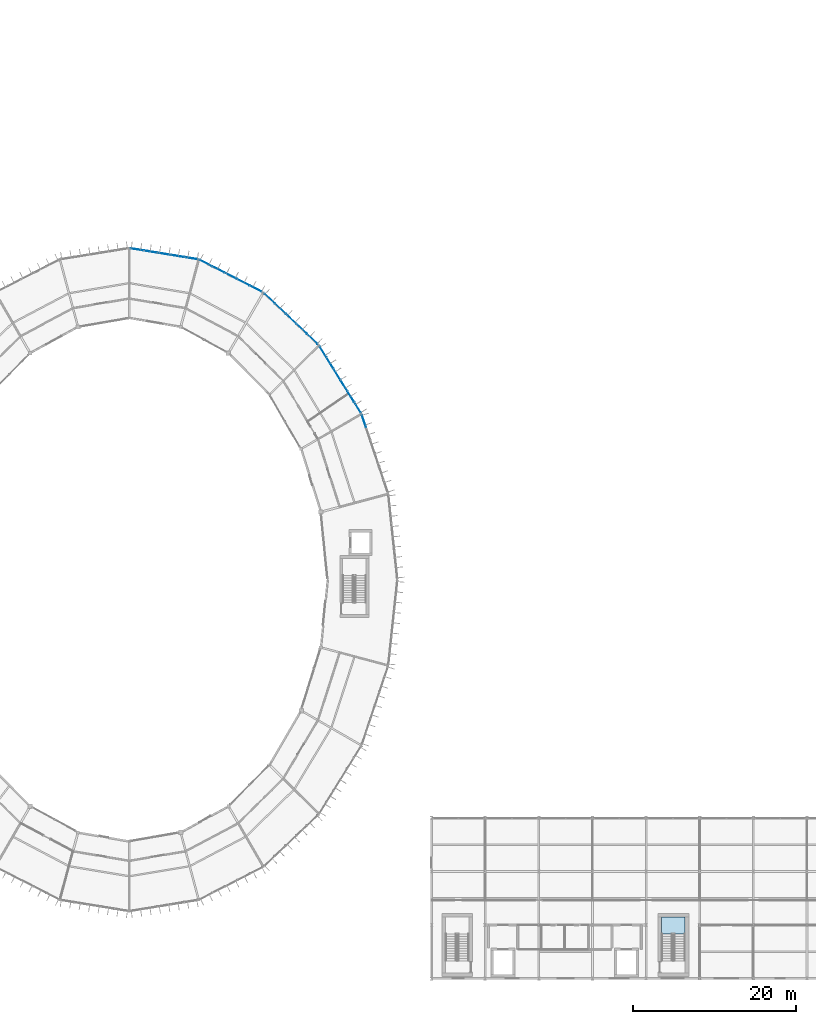
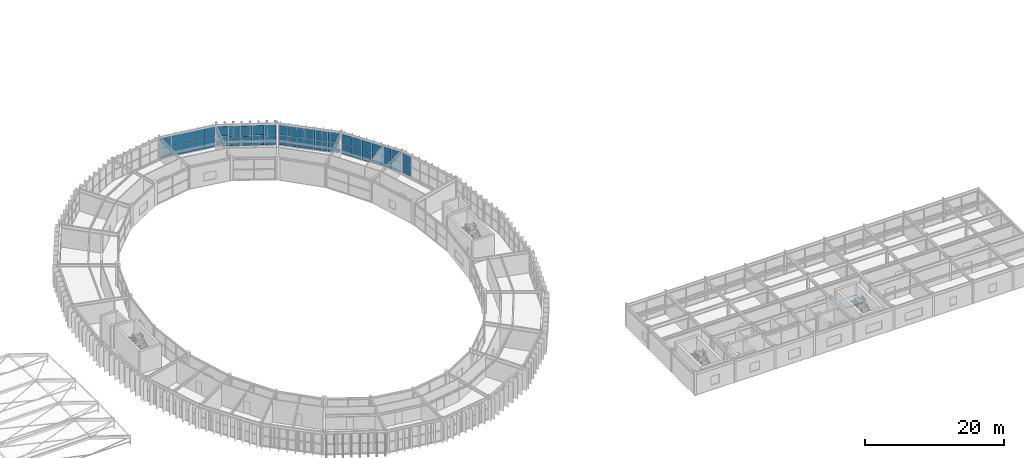
# One storey, part 99 of 134: 44 plates, 1 slab, 6 elements without a shape of their own.
"""IFC4 building model written with IfcOpenShell, lengths in metres."""

import ifcopenshell
import ifcopenshell.guid

model = None  # the IFC model being written
_history = None  # IfcOwnerHistory: only IFC2X3 demands one
_inside = {}  # id of a spatial element -> (the spatial element, [elements in it])
_under = {}  # id of a project, library or spatial element -> (it, [spatial elements below it])
_declared = {}  # id of a project -> (the project, [libraries it declares])
_typed = {}  # id of a type object -> (the type object, [elements of that type])
_made_of = {}  # id of a material, layer set ... -> (it, [elements and type objects made of it])


def new_model(schema):
    """Start an empty IFC model of exactly this schema.

    Asked for "IFC4X3", IfcOpenShell would pick the latest addendum, in which some entities
    have other attributes; the version numbers below select the first issue.
    IFC2X3 requires an IfcOwnerHistory on every rooted entity: one is made here for all.
    """
    global model, _history
    if schema == "IFC4X3":
        model = ifcopenshell.file(schema_version=(4, 3, 0, 0))
    else:
        model = ifcopenshell.file(schema=schema)
    _inside.clear()
    _under.clear()
    _declared.clear()
    _typed.clear()
    _made_of.clear()
    _history = None
    if model.schema == "IFC2X3":
        org = make("IfcOrganization", Name="unknown")
        user = make(
            "IfcPersonAndOrganization",
            ThePerson=make("IfcPerson", FamilyName="unknown"),
            TheOrganization=org,
        )
        app = make(
            "IfcApplication",
            ApplicationDeveloper=org,
            Version="unknown",
            ApplicationFullName="unknown",
            ApplicationIdentifier="unknown",
        )
        _history = make(
            "IfcOwnerHistory",
            OwningUser=user,
            OwningApplication=app,
            ChangeAction="ADDED",
            CreationDate=0,
        )
    return model


def make(cls, **values):
    """One entity of the class cls with the attributes given. An attribute that is None is left unset."""
    return model.create_entity(
        cls, **{name: value for name, value in values.items() if value is not None}
    )


def rooted(cls, **values):
    """An entity with a GlobalId (a new one), such as an element, a storey or a relation."""
    return make(cls, GlobalId=ifcopenshell.guid.new(), OwnerHistory=_history, **values)


def si_unit(unit_type, name, prefix=None):
    """IfcSIUnit, for example si_unit("LENGTHUNIT", "METRE", prefix="MILLI")."""
    return make("IfcSIUnit", UnitType=unit_type, Prefix=prefix, Name=name)


def assignment(units):
    """IfcUnitAssignment: the units of a project."""
    return None if units is None else make("IfcUnitAssignment", Units=units)


def point(xyz):
    """IfcCartesianPoint."""
    return None if xyz is None else make("IfcCartesianPoint", Coordinates=xyz)


def direction(xyz):
    """IfcDirection."""
    return None if xyz is None else make("IfcDirection", DirectionRatios=xyz)


def frame(location, z_axis=None, x_axis=None):
    """IfcAxis2Placement3D, a coordinate frame: its origin and axes. An axis left out is left unset."""
    return make(
        "IfcAxis2Placement3D",
        Location=point(location),
        Axis=direction(z_axis),
        RefDirection=direction(x_axis),
    )


def frame_2d(location, x_axis=None):
    """IfcAxis2Placement2D, a coordinate frame in the plane: its origin and x axis."""
    return make(
        "IfcAxis2Placement2D", Location=point(location), RefDirection=direction(x_axis)
    )


def origin():
    """The frame at (0, 0, 0) with its axes left unset."""
    return frame((0.0, 0.0, 0.0))


def origin_2d():
    """The frame at (0, 0) in the plane with its x axis left unset."""
    return frame_2d((0.0, 0.0))


def place(relative_to, where):
    """IfcLocalPlacement: puts the frame where relative to a parent placement (None: the world)."""
    return make(
        "IfcLocalPlacement", PlacementRelTo=relative_to, RelativePlacement=where
    )


def context(
    kind, dimensions, precision=None, world=None, true_north=None, identifier=None
):
    """IfcGeometricRepresentationContext, for example the 3D "Model" context."""
    return make(
        "IfcGeometricRepresentationContext",
        ContextIdentifier=identifier,
        ContextType=kind,
        CoordinateSpaceDimension=dimensions,
        Precision=precision,
        WorldCoordinateSystem=world,
        TrueNorth=true_north,
    )


def subcontext(parent, identifier, kind, view, scale=None):
    """IfcGeometricRepresentationSubContext, for example "Body" below "Model"."""
    return make(
        "IfcGeometricRepresentationSubContext",
        ContextIdentifier=identifier,
        ContextType=kind,
        ParentContext=parent,
        TargetScale=scale,
        TargetView=view,
    )


def project(units=None, contexts=None):
    """IfcProject with its units and contexts."""
    return rooted(
        "IfcProject",
        Name="project",
        RepresentationContexts=contexts,
        UnitsInContext=assignment(units),
    )


def spatial(cls, under=None, at=None, **own):
    """A site, building, storey or space (cls), placed at a placement, below another one or the project."""
    s = rooted(cls, ObjectPlacement=at, **own)
    if under is not None:
        _under.setdefault(under.id(), (under, []))[1].append(s)
    return s


def polyline(points):
    """IfcPolyline through the points."""
    return make("IfcPolyline", Points=[point(p) for p in points])


def profile(cls, at=None, kind="AREA", **sizes):
    """A parametric profile (cls). Its sizes go by their IFC names, for example OverallWidth=200.0."""
    return make(cls, ProfileType=kind, Position=at, **sizes)


def rectangle(**sizes):
    """IfcRectangleProfileDef."""
    return profile("IfcRectangleProfileDef", **sizes)


def outline(outer, holes=None, kind="AREA"):
    """IfcArbitraryClosedProfileDef: a profile drawn as a closed curve; with holes, ...WithVoids."""
    if holes is None:
        return make("IfcArbitraryClosedProfileDef", ProfileType=kind, OuterCurve=outer)
    return make(
        "IfcArbitraryProfileDefWithVoids",
        ProfileType=kind,
        OuterCurve=outer,
        InnerCurves=holes,
    )


def extrude(swept, where, along, depth):
    """IfcExtrudedAreaSolid: the profile swept, set in the frame where, extruded along a direction by depth."""
    return make(
        "IfcExtrudedAreaSolid",
        SweptArea=swept,
        Position=where,
        ExtrudedDirection=direction(along),
        Depth=depth,
    )


def shape(context_of_items, identifier, shape_type, items):
    """IfcShapeRepresentation: the items that make up one representation, for example the "Body"."""
    return make(
        "IfcShapeRepresentation",
        ContextOfItems=context_of_items,
        RepresentationIdentifier=identifier,
        RepresentationType=shape_type,
        Items=items,
    )


def material(Name=None, Category=None):
    """IfcMaterial."""
    return make("IfcMaterial", Name=Name, Category=Category)


def layer(
    of_material, thickness, ventilated=None, Name=None, Category=None, Priority=None
):
    """IfcMaterialLayer: one layer of a wall or slab, of a material (None: an air gap)."""
    return make(
        "IfcMaterialLayer",
        Material=of_material,
        LayerThickness=thickness,
        IsVentilated=ventilated,
        Name=Name,
        Category=Category,
        Priority=Priority,
    )


def layer_set(layers, Name=None):
    """IfcMaterialLayerSet."""
    return make("IfcMaterialLayerSet", MaterialLayers=layers, LayerSetName=Name)


def made_of(thing, what):
    """Note that an element or type object is made of a material, layer set ...; save() writes the relation."""
    if what is not None:
        _made_of.setdefault(what.id(), (what, []))[1].append(thing)
    return thing


def type_object(cls, material=None, **own):
    """A type object (cls), such as IfcWallType, which elements share."""
    return made_of(rooted(cls, **own), material)


def element(
    cls,
    number,
    at=None,
    inside=None,
    cuts=None,
    type_object=None,
    material=None,
    context=None,
    identifier="Body",
    shape_type=None,
    held_by="IfcProductDefinitionShape",
    body=None,
    shapes=None,
    **own,
):
    """One element of the class cls, such as IfcWall. Its Tag is "e" and its number.

    at: its placement. inside: the storey or other place that contains it. cuts: it is an
    opening in that element (IfcRelVoidsElement). A single representation is given by context,
    identifier, shape_type and body (its items); several are given by shapes. held_by: the class
    of the entity that holds the representations. save() writes the other relations.
    """
    e = rooted(cls, Tag="e%d" % number, ObjectPlacement=at, **own)
    if body is not None:
        shapes = [shape(context, identifier, shape_type, body)]
    if shapes is not None:
        e.Representation = make(held_by, Representations=shapes)
    if inside is not None:
        _inside.setdefault(inside.id(), (inside, []))[1].append(e)
    if cuts is not None:
        rooted(
            "IfcRelVoidsElement", RelatingBuildingElement=cuts, RelatedOpeningElement=e
        )
    if type_object is not None:
        _typed.setdefault(type_object.id(), (type_object, []))[1].append(e)
    return made_of(e, material)


def aggregate(whole, parts):
    """IfcRelAggregates: a whole, such as a stair, and the parts it consists of."""
    return rooted("IfcRelAggregates", RelatingObject=whole, RelatedObjects=parts)


def save(model, path):
    """Write the relations noted so far, then the file.

    IfcRelAggregates (storeys below a building ...), IfcRelContainedInSpatialStructure (elements
    in a storey), IfcRelDefinesByType, IfcRelAssociatesMaterial and IfcRelDeclares: one each for
    every whole, place, type object, material and project.
    """
    for whole, parts in _under.values():
        aggregate(whole, parts)
    for where, things in _inside.values():
        rooted(
            "IfcRelContainedInSpatialStructure",
            RelatedElements=things,
            RelatingStructure=where,
        )
    for kind, things in _typed.values():
        rooted("IfcRelDefinesByType", RelatedObjects=things, RelatingType=kind)
    for what, things in _made_of.values():
        rooted("IfcRelAssociatesMaterial", RelatedObjects=things, RelatingMaterial=what)
    for by, libraries in _declared.values():
        rooted("IfcRelDeclares", RelatingContext=by, RelatedDefinitions=libraries)
    model.write(path)


model = new_model("IFC4")

# Units and contexts
model_context = context("Model", 3, precision=1e-05, world=origin(), true_north=direction((0.0, 1.0)))
body_context = subcontext(model_context, "Body", "Model", "MODEL_VIEW")
ifc_project = project(units=[si_unit("LENGTHUNIT", "METRE"), si_unit("AREAUNIT", "SQUARE_METRE"), si_unit("VOLUMEUNIT", "CUBIC_METRE"), si_unit("PLANEANGLEUNIT", "RADIAN"), si_unit("MASSUNIT", "GRAM", prefix="KILO")], contexts=[model_context])

# Site, building, storey
site_placement = place(None, origin())
site = spatial("IfcSite", under=ifc_project, at=site_placement, CompositionType="ELEMENT")
building_placement = place(site_placement, origin())
building = spatial("IfcBuilding", under=site, at=building_placement, Name="Karori Crest Natural Sciences Institute", CompositionType="ELEMENT")
storey_placement = place(building_placement, frame((0.0, 0.0, 21.699951171875)))
storey = spatial("IfcBuildingStorey", under=building, at=storey_placement, Name="L05", CompositionType="ELEMENT", Elevation=21.699951171875)

# Curtain wall, plates
ifc_material_1 = material(Name="Anodised architectural aluminium 6063-T6", Category="aluminium")
curtain_wall_type_1 = type_object("IfcCurtainWallType", Name="CWT-04", PredefinedType="NOTDEFINED", material=ifc_material_1)
curtain_wall_1_placement = place(storey_placement, origin())
curtain_wall_1 = element("IfcCurtainWall", 1, at=curtain_wall_1_placement, inside=storey, type_object=curtain_wall_type_1, Name="Curtain wall CW-0177", PredefinedType="NOTDEFINED")
ifc_material_2 = material(Name="Double low-E laminated glass", Category="glass")
ifc_layer_1 = layer(ifc_material_2, 0.02392578125, Name="Double low-E laminated glass")
ifc_layer_set_1 = layer_set([ifc_layer_1], Name="Double low-E laminated glass")
plate_type_1 = type_object("IfcPlateType", Name="CWP-01", PredefinedType="CURTAIN_PANEL", material=ifc_layer_set_1)
plate_1_placement = place(storey_placement, frame((83.695556640625, 84.47900390625, 0.06005859375), z_axis=(0.0, 0.0, 1.0), x_axis=(0.725471459192, -0.688252251648, 0.0)))
plate_1 = element("IfcPlate", 2, at=plate_1_placement, type_object=plate_type_1, Name="CW-0177 panel 1.1", PredefinedType="CURTAIN_PANEL", context=body_context, shape_type="SweptSolid", body=[
    extrude(rectangle(XDim=1.717041015625, YDim=0.02392578125, at=origin_2d()), origin(), (0.0, 0.0, 1.0), 1.722412109375),
])
plate_2_placement = place(storey_placement, frame((83.695556640625, 84.47900390625, 1.8427734375), z_axis=(0.0, 0.0, 1.0), x_axis=(0.725471459192, -0.688252251648, 0.0)))
plate_2 = element("IfcPlate", 3, at=plate_2_placement, type_object=plate_type_1, Name="CW-0177 panel 1.2", PredefinedType="CURTAIN_PANEL", context=body_context, shape_type="SweptSolid", body=[
    extrude(rectangle(XDim=1.717041015625, YDim=0.02392578125, at=origin_2d()), origin(), (0.0, 0.0, 1.0), 1.722412109375),
])
plate_3_placement = place(storey_placement, frame((85.000244140625, 83.2412109375, 0.06005859375), z_axis=(0.0, 0.0, 1.0), x_axis=(0.725471459192, -0.688252251648, 0.0)))
plate_3 = element("IfcPlate", 4, at=plate_3_placement, type_object=plate_type_1, Name="CW-0177 panel 2.1", PredefinedType="CURTAIN_PANEL", context=body_context, shape_type="SweptSolid", body=[
    extrude(rectangle(XDim=1.749755859375, YDim=0.02392578125, at=origin_2d()), origin(), (0.0, 0.0, 1.0), 1.722412109375),
])
plate_4_placement = place(storey_placement, frame((85.000244140625, 83.2412109375, 1.8427734375), z_axis=(0.0, 0.0, 1.0), x_axis=(0.725471459192, -0.688252251648, 0.0)))
plate_4 = element("IfcPlate", 5, at=plate_4_placement, type_object=plate_type_1, Name="CW-0177 panel 2.2", PredefinedType="CURTAIN_PANEL", context=body_context, shape_type="SweptSolid", body=[
    extrude(rectangle(XDim=1.749755859375, YDim=0.02392578125, at=origin_2d()), origin(), (0.0, 0.0, 1.0), 1.722412109375),
])
plate_5_placement = place(storey_placement, frame((86.31689453125, 81.992431640625, 0.06005859375), z_axis=(0.0, 0.0, 1.0), x_axis=(0.725471459192, -0.688252251648, 0.0)))
plate_5 = element("IfcPlate", 6, at=plate_5_placement, type_object=plate_type_1, Name="CW-0177 panel 3.1", PredefinedType="CURTAIN_PANEL", context=body_context, shape_type="SweptSolid", body=[
    extrude(rectangle(XDim=1.749755859375, YDim=0.02392578125, at=origin_2d()), origin(), (0.0, 0.0, 1.0), 1.722412109375),
])
plate_6_placement = place(storey_placement, frame((86.31689453125, 81.992431640625, 1.8427734375), z_axis=(0.0, 0.0, 1.0), x_axis=(0.725471459192, -0.688252251648, 0.0)))
plate_6 = element("IfcPlate", 7, at=plate_6_placement, type_object=plate_type_1, Name="CW-0177 panel 3.2", PredefinedType="CURTAIN_PANEL", context=body_context, shape_type="SweptSolid", body=[
    extrude(rectangle(XDim=1.749755859375, YDim=0.02392578125, at=origin_2d()), origin(), (0.0, 0.0, 1.0), 1.722412109375),
])
plate_7_placement = place(storey_placement, frame((87.63330078125, 80.743408203125, 0.06005859375), z_axis=(0.0, 0.0, 1.0), x_axis=(0.725471459192, -0.688252251648, 0.0)))
plate_7 = element("IfcPlate", 8, at=plate_7_placement, type_object=plate_type_1, Name="CW-0177 panel 4.1", PredefinedType="CURTAIN_PANEL", context=body_context, shape_type="SweptSolid", body=[
    extrude(rectangle(XDim=1.749755859375, YDim=0.02392578125, at=origin_2d()), origin(), (0.0, 0.0, 1.0), 1.722412109375),
])
plate_8_placement = place(storey_placement, frame((87.63330078125, 80.743408203125, 1.8427734375), z_axis=(0.0, 0.0, 1.0), x_axis=(0.725471459192, -0.688252251648, 0.0)))
plate_8 = element("IfcPlate", 9, at=plate_8_placement, type_object=plate_type_1, Name="CW-0177 panel 4.2", PredefinedType="CURTAIN_PANEL", context=body_context, shape_type="SweptSolid", body=[
    extrude(rectangle(XDim=1.749755859375, YDim=0.02392578125, at=origin_2d()), origin(), (0.0, 0.0, 1.0), 1.722412109375),
])
plate_9_placement = place(storey_placement, frame((88.93798828125, 79.505615234375, 0.06005859375), z_axis=(0.0, 0.0, 1.0), x_axis=(0.725471459192, -0.688252251648, 0.0)))
plate_9 = element("IfcPlate", 10, at=plate_9_placement, type_object=plate_type_1, Name="CW-0177 panel 5.1", PredefinedType="CURTAIN_PANEL", context=body_context, shape_type="SweptSolid", body=[
    extrude(rectangle(XDim=1.717041015625, YDim=0.02392578125, at=origin_2d()), origin(), (0.0, 0.0, 1.0), 1.722412109375),
])
plate_10_placement = place(storey_placement, frame((88.93798828125, 79.505615234375, 1.8427734375), z_axis=(0.0, 0.0, 1.0), x_axis=(0.725471459192, -0.688252251648, 0.0)))
plate_10 = element("IfcPlate", 11, at=plate_10_placement, type_object=plate_type_1, Name="CW-0177 panel 5.2", PredefinedType="CURTAIN_PANEL", context=body_context, shape_type="SweptSolid", body=[
    extrude(rectangle(XDim=1.717041015625, YDim=0.02392578125, at=origin_2d()), origin(), (0.0, 0.0, 1.0), 1.722412109375),
])
aggregate(curtain_wall_1, [plate_1, plate_2, plate_3, plate_4, plate_5, plate_6, plate_7, plate_8, plate_9, plate_10])

curtain_wall_type_2 = type_object("IfcCurtainWallType", Name="CWT-02", PredefinedType="NOTDEFINED", material=ifc_material_1)
curtain_wall_2_placement = place(storey_placement, origin())
curtain_wall_2 = element("IfcCurtainWall", 12, at=curtain_wall_2_placement, inside=storey, type_object=curtain_wall_type_2, Name="Curtain wall CW-0174", PredefinedType="NOTDEFINED")
ifc_layer_2 = layer(ifc_material_2, 0.033935546875, Name="Double low-E laminated glass")
ifc_layer_set_2 = layer_set([ifc_layer_2], Name="Double low-E laminated glass")
plate_type_2 = type_object("IfcPlateType", Name="CWP-02", PredefinedType="CURTAIN_PANEL", material=ifc_layer_set_2)
plate_11_placement = place(storey_placement, frame((95.279541015625, 69.402587890625, 0.06005859375), z_axis=(0.0, 0.0, 1.0), x_axis=(0.317679803392, -0.94819805026, 0.0)))
plate_11 = element("IfcPlate", 13, at=plate_11_placement, type_object=plate_type_2, Name="CW-0174 panel 1.1", PredefinedType="CURTAIN_PANEL", context=body_context, shape_type="SweptSolid", body=[
    extrude(rectangle(XDim=1.59619140625, YDim=0.033935546875, at=origin_2d()), origin(), (0.0, 0.0, 1.0), 1.722412109375),
])
plate_12_placement = place(storey_placement, frame((95.279541015625, 69.402587890625, 1.8427734375), z_axis=(0.0, 0.0, 1.0), x_axis=(0.317679803392, -0.94819805026, 0.0)))
plate_12 = element("IfcPlate", 14, at=plate_12_placement, type_object=plate_type_2, Name="CW-0174 panel 1.2", PredefinedType="CURTAIN_PANEL", context=body_context, shape_type="SweptSolid", body=[
    extrude(rectangle(XDim=1.59619140625, YDim=0.033935546875, at=origin_2d()), origin(), (0.0, 0.0, 1.0), 1.722412109375),
])
aggregate(curtain_wall_2, [plate_11, plate_12])

curtain_wall_type_3 = type_object("IfcCurtainWallType", Name="CWT-05", PredefinedType="NOTDEFINED", material=ifc_material_1)
curtain_wall_3_placement = place(storey_placement, origin())
curtain_wall_3 = element("IfcCurtainWall", 15, at=curtain_wall_3_placement, inside=storey, type_object=curtain_wall_type_3, Name="Curtain wall CW-0178", PredefinedType="NOTDEFINED")
plate_13_placement = place(storey_placement, frame((75.806640625, 88.866455078125, 0.06494140625), z_axis=(0.0, 0.0, 1.0), x_axis=(0.890067432138, -0.455828878252, 0.0)))
plate_13 = element("IfcPlate", 16, at=plate_13_placement, type_object=plate_type_2, Name="CW-0178 panel 1.1", PredefinedType="CURTAIN_PANEL", context=body_context, shape_type="SweptSolid", body=[
    extrude(rectangle(XDim=1.645751953125, YDim=0.033935546875, at=origin_2d()), origin(), (0.0, 0.0, 1.0), 1.715087890625),
])
plate_14_placement = place(storey_placement, frame((75.806640625, 88.866455078125, 1.84521484375), z_axis=(0.0, 0.0, 1.0), x_axis=(0.890067432138, -0.455828878252, 0.0)))
plate_14 = element("IfcPlate", 17, at=plate_14_placement, type_object=plate_type_2, Name="CW-0178 panel 1.2", PredefinedType="CURTAIN_PANEL", context=body_context, shape_type="SweptSolid", body=[
    extrude(rectangle(XDim=1.645751953125, YDim=0.033935546875, at=origin_2d()), origin(), (0.0, 0.0, 1.0), 1.715087890625),
])
plate_15_placement = place(storey_placement, frame((77.34375, 88.079345703125, 0.06494140625), z_axis=(0.0, 0.0, 1.0), x_axis=(0.890067432138, -0.455828878252, 0.0)))
plate_15 = element("IfcPlate", 18, at=plate_15_placement, type_object=plate_type_2, Name="CW-0178 panel 2.1", PredefinedType="CURTAIN_PANEL", context=body_context, shape_type="SweptSolid", body=[
    extrude(rectangle(XDim=1.678466796875, YDim=0.033935546875, at=origin_2d()), origin(), (0.0, 0.0, 1.0), 1.715087890625),
])
plate_16_placement = place(storey_placement, frame((77.34375, 88.079345703125, 1.84521484375), z_axis=(0.0, 0.0, 1.0), x_axis=(0.890067432138, -0.455828878252, 0.0)))
plate_16 = element("IfcPlate", 19, at=plate_16_placement, type_object=plate_type_2, Name="CW-0178 panel 2.2", PredefinedType="CURTAIN_PANEL", context=body_context, shape_type="SweptSolid", body=[
    extrude(rectangle(XDim=1.678466796875, YDim=0.033935546875, at=origin_2d()), origin(), (0.0, 0.0, 1.0), 1.715087890625),
])
plate_17_placement = place(storey_placement, frame((78.8955078125, 87.28466796875, 0.06494140625), z_axis=(0.0, 0.0, 1.0), x_axis=(0.890067432138, -0.455828878252, 0.0)))
plate_17 = element("IfcPlate", 20, at=plate_17_placement, type_object=plate_type_2, Name="CW-0178 panel 3.1", PredefinedType="CURTAIN_PANEL", context=body_context, shape_type="SweptSolid", body=[
    extrude(rectangle(XDim=1.678466796875, YDim=0.033935546875, at=origin_2d()), origin(), (0.0, 0.0, 1.0), 1.715087890625),
])
plate_18_placement = place(storey_placement, frame((78.8955078125, 87.28466796875, 1.84521484375), z_axis=(0.0, 0.0, 1.0), x_axis=(0.890067432138, -0.455828878252, 0.0)))
plate_18 = element("IfcPlate", 21, at=plate_18_placement, type_object=plate_type_2, Name="CW-0178 panel 3.2", PredefinedType="CURTAIN_PANEL", context=body_context, shape_type="SweptSolid", body=[
    extrude(rectangle(XDim=1.678466796875, YDim=0.033935546875, at=origin_2d()), origin(), (0.0, 0.0, 1.0), 1.715087890625),
])
plate_19_placement = place(storey_placement, frame((80.447265625, 86.489990234375, 0.06494140625), z_axis=(0.0, 0.0, 1.0), x_axis=(0.890067432138, -0.455828878252, 0.0)))
plate_19 = element("IfcPlate", 22, at=plate_19_placement, type_object=plate_type_2, Name="CW-0178 panel 4.1", PredefinedType="CURTAIN_PANEL", context=body_context, shape_type="SweptSolid", body=[
    extrude(rectangle(XDim=1.678466796875, YDim=0.033935546875, at=origin_2d()), origin(), (0.0, 0.0, 1.0), 1.715087890625),
])
plate_20_placement = place(storey_placement, frame((80.447265625, 86.489990234375, 1.84521484375), z_axis=(0.0, 0.0, 1.0), x_axis=(0.890067432138, -0.455828878252, 0.0)))
plate_20 = element("IfcPlate", 23, at=plate_20_placement, type_object=plate_type_2, Name="CW-0178 panel 4.2", PredefinedType="CURTAIN_PANEL", context=body_context, shape_type="SweptSolid", body=[
    extrude(rectangle(XDim=1.678466796875, YDim=0.033935546875, at=origin_2d()), origin(), (0.0, 0.0, 1.0), 1.715087890625),
])
plate_21_placement = place(storey_placement, frame((81.984375, 85.70263671875, 0.06494140625), z_axis=(0.0, 0.0, 1.0), x_axis=(0.890067432138, -0.455828878252, 0.0)))
plate_21 = element("IfcPlate", 24, at=plate_21_placement, type_object=plate_type_2, Name="CW-0178 panel 5.1", PredefinedType="CURTAIN_PANEL", context=body_context, shape_type="SweptSolid", body=[
    extrude(rectangle(XDim=1.645751953125, YDim=0.033935546875, at=origin_2d()), origin(), (0.0, 0.0, 1.0), 1.715087890625),
])
plate_22_placement = place(storey_placement, frame((81.984375, 85.70263671875, 1.84521484375), z_axis=(0.0, 0.0, 1.0), x_axis=(0.890067432138, -0.455828878252, 0.0)))
plate_22 = element("IfcPlate", 25, at=plate_22_placement, type_object=plate_type_2, Name="CW-0178 panel 5.2", PredefinedType="CURTAIN_PANEL", context=body_context, shape_type="SweptSolid", body=[
    extrude(rectangle(XDim=1.645751953125, YDim=0.033935546875, at=origin_2d()), origin(), (0.0, 0.0, 1.0), 1.715087890625),
])
aggregate(curtain_wall_3, [plate_13, plate_14, plate_15, plate_16, plate_17, plate_18, plate_19, plate_20, plate_21, plate_22])

curtain_wall_type_4 = type_object("IfcCurtainWallType", Name="CWT-03", PredefinedType="NOTDEFINED", material=ifc_material_1)
curtain_wall_4_placement = place(storey_placement, origin())
curtain_wall_4 = element("IfcCurtainWall", 26, at=curtain_wall_4_placement, inside=storey, type_object=curtain_wall_type_4, Name="Curtain wall CW-0175", PredefinedType="NOTDEFINED")
ifc_layer_3 = layer(ifc_material_2, 0.0439453125, Name="Double low-E laminated glass")
ifc_layer_set_3 = layer_set([ifc_layer_3], Name="Double low-E laminated glass")
plate_type_3 = type_object("IfcPlateType", Name="CWP-03", PredefinedType="CURTAIN_PANEL", material=ifc_layer_set_3)
plate_23_placement = place(storey_placement, frame((90.2490234375, 77.921142578125, 0.06494140625), z_axis=(0.0, 0.0, 1.0), x_axis=(0.527327706489, -0.849661985715, 0.0)))
plate_23 = element("IfcPlate", 27, at=plate_23_placement, type_object=plate_type_3, Name="CW-0175 panel 1.1", PredefinedType="CURTAIN_PANEL", context=body_context, shape_type="SweptSolid", body=[
    extrude(rectangle(XDim=1.519287109375, YDim=0.0439453125, at=origin_2d()), origin(), (0.0, 0.0, 1.0), 1.715087890625),
])
plate_24_placement = place(storey_placement, frame((90.2490234375, 77.921142578125, 1.84521484375), z_axis=(0.0, 0.0, 1.0), x_axis=(0.527327706489, -0.849661985715, 0.0)))
plate_24 = element("IfcPlate", 28, at=plate_24_placement, type_object=plate_type_3, Name="CW-0175 panel 1.2", PredefinedType="CURTAIN_PANEL", context=body_context, shape_type="SweptSolid", body=[
    extrude(rectangle(XDim=1.519287109375, YDim=0.0439453125, at=origin_2d()), origin(), (0.0, 0.0, 1.0), 1.715087890625),
])
plate_25_placement = place(storey_placement, frame((91.093017578125, 76.56103515625, 0.06494140625), z_axis=(0.0, 0.0, 1.0), x_axis=(0.527327706489, -0.849661985715, 0.0)))
plate_25 = element("IfcPlate", 29, at=plate_25_placement, type_object=plate_type_3, Name="CW-0175 panel 2.1", PredefinedType="CURTAIN_PANEL", context=body_context, shape_type="SweptSolid", body=[
    extrude(rectangle(XDim=1.5517578125, YDim=0.0439453125, at=origin_2d()), origin(), (0.0, 0.0, 1.0), 1.715087890625),
])
plate_26_placement = place(storey_placement, frame((91.093017578125, 76.56103515625, 1.84521484375), z_axis=(0.0, 0.0, 1.0), x_axis=(0.527327706489, -0.849661985715, 0.0)))
plate_26 = element("IfcPlate", 30, at=plate_26_placement, type_object=plate_type_3, Name="CW-0175 panel 2.2", PredefinedType="CURTAIN_PANEL", context=body_context, shape_type="SweptSolid", body=[
    extrude(rectangle(XDim=1.5517578125, YDim=0.0439453125, at=origin_2d()), origin(), (0.0, 0.0, 1.0), 1.715087890625),
])
plate_27_placement = place(storey_placement, frame((91.945556640625, 75.187255859375, 0.06494140625), z_axis=(0.0, 0.0, 1.0), x_axis=(0.527327706489, -0.849661985715, 0.0)))
plate_27 = element("IfcPlate", 31, at=plate_27_placement, type_object=plate_type_3, Name="CW-0175 panel 3.1", PredefinedType="CURTAIN_PANEL", context=body_context, shape_type="SweptSolid", body=[
    extrude(rectangle(XDim=1.5517578125, YDim=0.0439453125, at=origin_2d()), origin(), (0.0, 0.0, 1.0), 1.715087890625),
])
plate_28_placement = place(storey_placement, frame((91.945556640625, 75.187255859375, 1.84521484375), z_axis=(0.0, 0.0, 1.0), x_axis=(0.527327706489, -0.849661985715, 0.0)))
plate_28 = element("IfcPlate", 32, at=plate_28_placement, type_object=plate_type_3, Name="CW-0175 panel 3.2", PredefinedType="CURTAIN_PANEL", context=body_context, shape_type="SweptSolid", body=[
    extrude(rectangle(XDim=1.5517578125, YDim=0.0439453125, at=origin_2d()), origin(), (0.0, 0.0, 1.0), 1.715087890625),
])
plate_29_placement = place(storey_placement, frame((92.798095703125, 73.813720703125, 0.06494140625), z_axis=(0.0, 0.0, 1.0), x_axis=(0.527327706489, -0.849661985715, 0.0)))
plate_29 = element("IfcPlate", 33, at=plate_29_placement, type_object=plate_type_3, Name="CW-0175 panel 4.1", PredefinedType="CURTAIN_PANEL", context=body_context, shape_type="SweptSolid", body=[
    extrude(rectangle(XDim=1.5517578125, YDim=0.0439453125, at=origin_2d()), origin(), (0.0, 0.0, 1.0), 1.715087890625),
])
plate_30_placement = place(storey_placement, frame((92.798095703125, 73.813720703125, 1.84521484375), z_axis=(0.0, 0.0, 1.0), x_axis=(0.527327706489, -0.849661985715, 0.0)))
plate_30 = element("IfcPlate", 34, at=plate_30_placement, type_object=plate_type_3, Name="CW-0175 panel 4.2", PredefinedType="CURTAIN_PANEL", context=body_context, shape_type="SweptSolid", body=[
    extrude(rectangle(XDim=1.5517578125, YDim=0.0439453125, at=origin_2d()), origin(), (0.0, 0.0, 1.0), 1.715087890625),
])
plate_31_placement = place(storey_placement, frame((93.650634765625, 72.43994140625, 0.06494140625), z_axis=(0.0, 0.0, 1.0), x_axis=(0.527327706489, -0.849661985715, 0.0)))
plate_31 = element("IfcPlate", 35, at=plate_31_placement, type_object=plate_type_3, Name="CW-0175 panel 5.1", PredefinedType="CURTAIN_PANEL", context=body_context, shape_type="SweptSolid", body=[
    extrude(rectangle(XDim=1.5517578125, YDim=0.0439453125, at=origin_2d()), origin(), (0.0, 0.0, 1.0), 1.715087890625),
])
plate_32_placement = place(storey_placement, frame((93.650634765625, 72.43994140625, 1.84521484375), z_axis=(0.0, 0.0, 1.0), x_axis=(0.527327706489, -0.849661985715, 0.0)))
plate_32 = element("IfcPlate", 36, at=plate_32_placement, type_object=plate_type_3, Name="CW-0175 panel 5.2", PredefinedType="CURTAIN_PANEL", context=body_context, shape_type="SweptSolid", body=[
    extrude(rectangle(XDim=1.5517578125, YDim=0.0439453125, at=origin_2d()), origin(), (0.0, 0.0, 1.0), 1.715087890625),
])
plate_33_placement = place(storey_placement, frame((94.49462890625, 71.080078125, 0.06494140625), z_axis=(0.0, 0.0, 1.0), x_axis=(0.527327706489, -0.849661985715, 0.0)))
plate_33 = element("IfcPlate", 37, at=plate_33_placement, type_object=plate_type_3, Name="CW-0175 panel 6.1", PredefinedType="CURTAIN_PANEL", context=body_context, shape_type="SweptSolid", body=[
    extrude(rectangle(XDim=1.519287109375, YDim=0.0439453125, at=origin_2d()), origin(), (0.0, 0.0, 1.0), 1.715087890625),
])
plate_34_placement = place(storey_placement, frame((94.49462890625, 71.080078125, 1.84521484375), z_axis=(0.0, 0.0, 1.0), x_axis=(0.527327706489, -0.849661985715, 0.0)))
plate_34 = element("IfcPlate", 38, at=plate_34_placement, type_object=plate_type_3, Name="CW-0175 panel 6.2", PredefinedType="CURTAIN_PANEL", context=body_context, shape_type="SweptSolid", body=[
    extrude(rectangle(XDim=1.519287109375, YDim=0.0439453125, at=origin_2d()), origin(), (0.0, 0.0, 1.0), 1.715087890625),
])
aggregate(curtain_wall_4, [plate_23, plate_24, plate_25, plate_26, plate_27, plate_28, plate_29, plate_30, plate_31, plate_32, plate_33, plate_34])

curtain_wall_type_5 = type_object("IfcCurtainWallType", Name="CWT-06", PredefinedType="NOTDEFINED", material=ifc_material_1)
curtain_wall_5_placement = place(storey_placement, origin())
curtain_wall_5 = element("IfcCurtainWall", 39, at=curtain_wall_5_placement, inside=storey, type_object=curtain_wall_type_5, Name="Curtain wall CW-0180", PredefinedType="NOTDEFINED")
plate_35_placement = place(storey_placement, frame((67.3759765625, 90.541259765625, 0.06005859375), z_axis=(0.0, 0.0, 1.0), x_axis=(0.987010543275, -0.160655493101, 0.0)))
plate_35 = element("IfcPlate", 40, at=plate_35_placement, type_object=plate_type_3, Name="CW-0180 panel 1.1", PredefinedType="CURTAIN_PANEL", context=body_context, shape_type="SweptSolid", body=[
    extrude(rectangle(XDim=1.592529296875, YDim=0.0439453125, at=origin_2d()), origin(), (0.0, 0.0, 1.0), 1.722412109375),
])
plate_36_placement = place(storey_placement, frame((67.3759765625, 90.541259765625, 1.8427734375), z_axis=(0.0, 0.0, 1.0), x_axis=(0.987010543275, -0.160655493101, 0.0)))
plate_36 = element("IfcPlate", 41, at=plate_36_placement, type_object=plate_type_3, Name="CW-0180 panel 1.2", PredefinedType="CURTAIN_PANEL", context=body_context, shape_type="SweptSolid", body=[
    extrude(rectangle(XDim=1.592529296875, YDim=0.0439453125, at=origin_2d()), origin(), (0.0, 0.0, 1.0), 1.722412109375),
])
plate_37_placement = place(storey_placement, frame((69.028076171875, 90.272216796875, 0.06005859375), z_axis=(0.0, 0.0, 1.0), x_axis=(0.987010543275, -0.160655493101, 0.0)))
plate_37 = element("IfcPlate", 42, at=plate_37_placement, type_object=plate_type_3, Name="CW-0180 panel 2.1", PredefinedType="CURTAIN_PANEL", context=body_context, shape_type="SweptSolid", body=[
    extrude(rectangle(XDim=1.625, YDim=0.0439453125, at=origin_2d()), origin(), (0.0, 0.0, 1.0), 1.722412109375),
])
plate_38_placement = place(storey_placement, frame((69.028076171875, 90.272216796875, 1.8427734375), z_axis=(0.0, 0.0, 1.0), x_axis=(0.987010543275, -0.160655493101, 0.0)))
plate_38 = element("IfcPlate", 43, at=plate_38_placement, type_object=plate_type_3, Name="CW-0180 panel 2.2", PredefinedType="CURTAIN_PANEL", context=body_context, shape_type="SweptSolid", body=[
    extrude(rectangle(XDim=1.625, YDim=0.0439453125, at=origin_2d()), origin(), (0.0, 0.0, 1.0), 1.722412109375),
])
plate_39_placement = place(storey_placement, frame((70.696044921875, 90.000732421875, 0.06005859375), z_axis=(0.0, 0.0, 1.0), x_axis=(0.987010543275, -0.160655493101, 0.0)))
plate_39 = element("IfcPlate", 44, at=plate_39_placement, type_object=plate_type_3, Name="CW-0180 panel 3.1", PredefinedType="CURTAIN_PANEL", context=body_context, shape_type="SweptSolid", body=[
    extrude(rectangle(XDim=1.625, YDim=0.0439453125, at=origin_2d()), origin(), (0.0, 0.0, 1.0), 1.722412109375),
])
plate_40_placement = place(storey_placement, frame((70.696044921875, 90.000732421875, 1.8427734375), z_axis=(0.0, 0.0, 1.0), x_axis=(0.987010543275, -0.160655493101, 0.0)))
plate_40 = element("IfcPlate", 45, at=plate_40_placement, type_object=plate_type_3, Name="CW-0180 panel 3.2", PredefinedType="CURTAIN_PANEL", context=body_context, shape_type="SweptSolid", body=[
    extrude(rectangle(XDim=1.625, YDim=0.0439453125, at=origin_2d()), origin(), (0.0, 0.0, 1.0), 1.722412109375),
])
plate_41_placement = place(storey_placement, frame((72.364013671875, 89.729248046875, 0.06005859375), z_axis=(0.0, 0.0, 1.0), x_axis=(0.987010543275, -0.160655493101, 0.0)))
plate_41 = element("IfcPlate", 46, at=plate_41_placement, type_object=plate_type_3, Name="CW-0180 panel 4.1", PredefinedType="CURTAIN_PANEL", context=body_context, shape_type="SweptSolid", body=[
    extrude(rectangle(XDim=1.625, YDim=0.0439453125, at=origin_2d()), origin(), (0.0, 0.0, 1.0), 1.722412109375),
])
plate_42_placement = place(storey_placement, frame((72.364013671875, 89.729248046875, 1.8427734375), z_axis=(0.0, 0.0, 1.0), x_axis=(0.987010543275, -0.160655493101, 0.0)))
plate_42 = element("IfcPlate", 47, at=plate_42_placement, type_object=plate_type_3, Name="CW-0180 panel 4.2", PredefinedType="CURTAIN_PANEL", context=body_context, shape_type="SweptSolid", body=[
    extrude(rectangle(XDim=1.625, YDim=0.0439453125, at=origin_2d()), origin(), (0.0, 0.0, 1.0), 1.722412109375),
])
plate_43_placement = place(storey_placement, frame((74.015869140625, 89.46044921875, 0.06005859375), z_axis=(0.0, 0.0, 1.0), x_axis=(0.987010543275, -0.160655493101, 0.0)))
plate_43 = element("IfcPlate", 48, at=plate_43_placement, type_object=plate_type_3, Name="CW-0180 panel 5.1", PredefinedType="CURTAIN_PANEL", context=body_context, shape_type="SweptSolid", body=[
    extrude(rectangle(XDim=1.592529296875, YDim=0.0439453125, at=origin_2d()), origin(), (0.0, 0.0, 1.0), 1.722412109375),
])
plate_44_placement = place(storey_placement, frame((74.015869140625, 89.46044921875, 1.8427734375), z_axis=(0.0, 0.0, 1.0), x_axis=(0.987010543275, -0.160655493101, 0.0)))
plate_44 = element("IfcPlate", 49, at=plate_44_placement, type_object=plate_type_3, Name="CW-0180 panel 5.2", PredefinedType="CURTAIN_PANEL", context=body_context, shape_type="SweptSolid", body=[
    extrude(rectangle(XDim=1.592529296875, YDim=0.0439453125, at=origin_2d()), origin(), (0.0, 0.0, 1.0), 1.722412109375),
])
aggregate(curtain_wall_5, [plate_35, plate_36, plate_37, plate_38, plate_39, plate_40, plate_41, plate_42, plate_43, plate_44])

# Stair, slab
ifc_material_3 = material(Name="Concrete 40 MPa", Category="concrete")
stair_type = type_object("IfcStairType", Name="STT-01", PredefinedType="HALF_TURN_STAIR", material=ifc_material_3)
stair_placement = place(storey_placement, origin())
stair = element("IfcStair", 50, at=stair_placement, inside=storey, type_object=stair_type, Name="Protected stair ST-04-L05", PredefinedType="HALF_TURN_STAIR")
ifc_layer_4 = layer(ifc_material_3, 0.2099609375, Name="Concrete 40 MPa")
ifc_layer_set_4 = layer_set([ifc_layer_4], Name="Concrete 40 MPa")
slab_type = type_object("IfcSlabType", Name="SLT-11", PredefinedType="LANDING", material=ifc_layer_set_4)
slab_placement = place(storey_placement, frame((0.0, 0.0, 1.89013671875)))
slab = element("IfcSlab", 51, at=slab_placement, type_object=slab_type, Name="ST-04-L05 landing 1", PredefinedType="LANDING", context=body_context, shape_type="SweptSolid", body=[
    extrude(outline(polyline([(134.800048828125, 6.300048828125), (134.800048828125, 8.39990234375), (131.89990234375, 8.39990234375), (131.89990234375, 6.300048828125), (134.800048828125, 6.300048828125)])), origin(), (0.0, 0.0, 1.0), 0.2099609375),
])
aggregate(stair, [slab])

save(model, "model.ifc")
